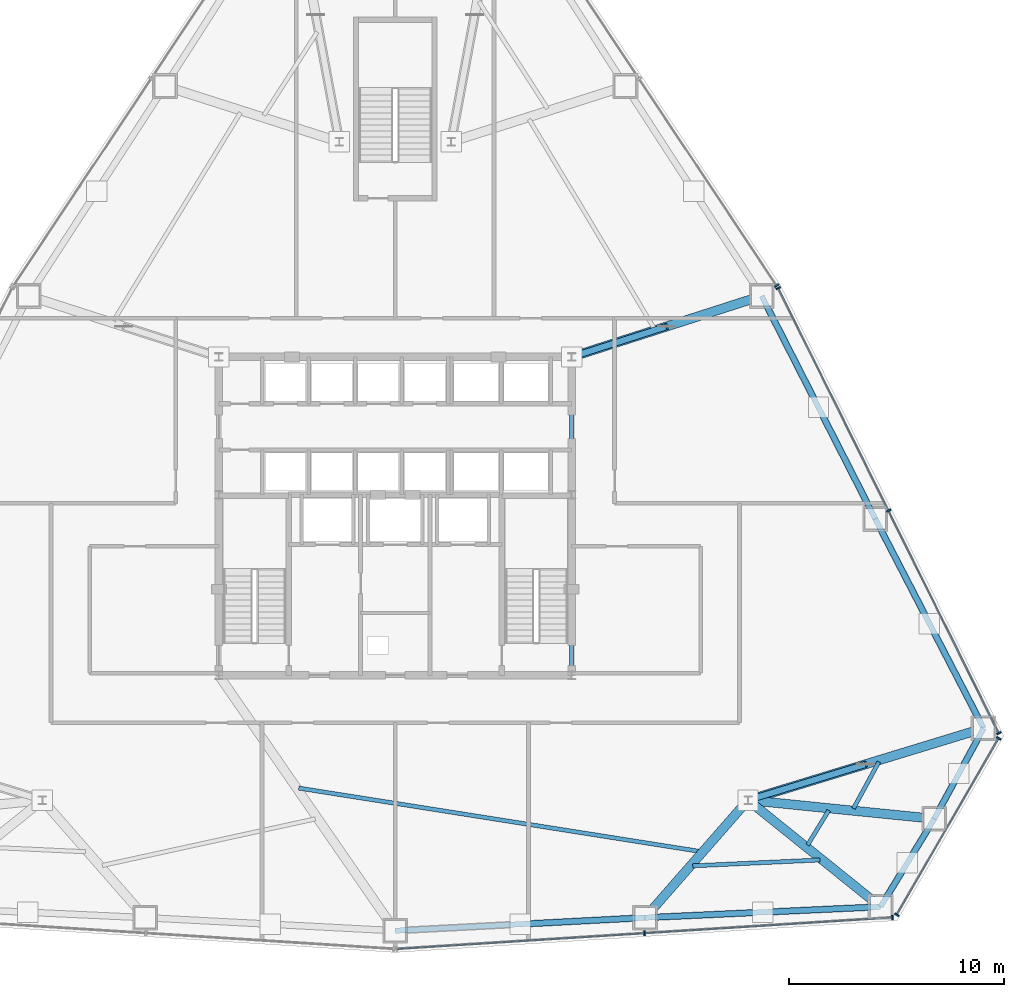
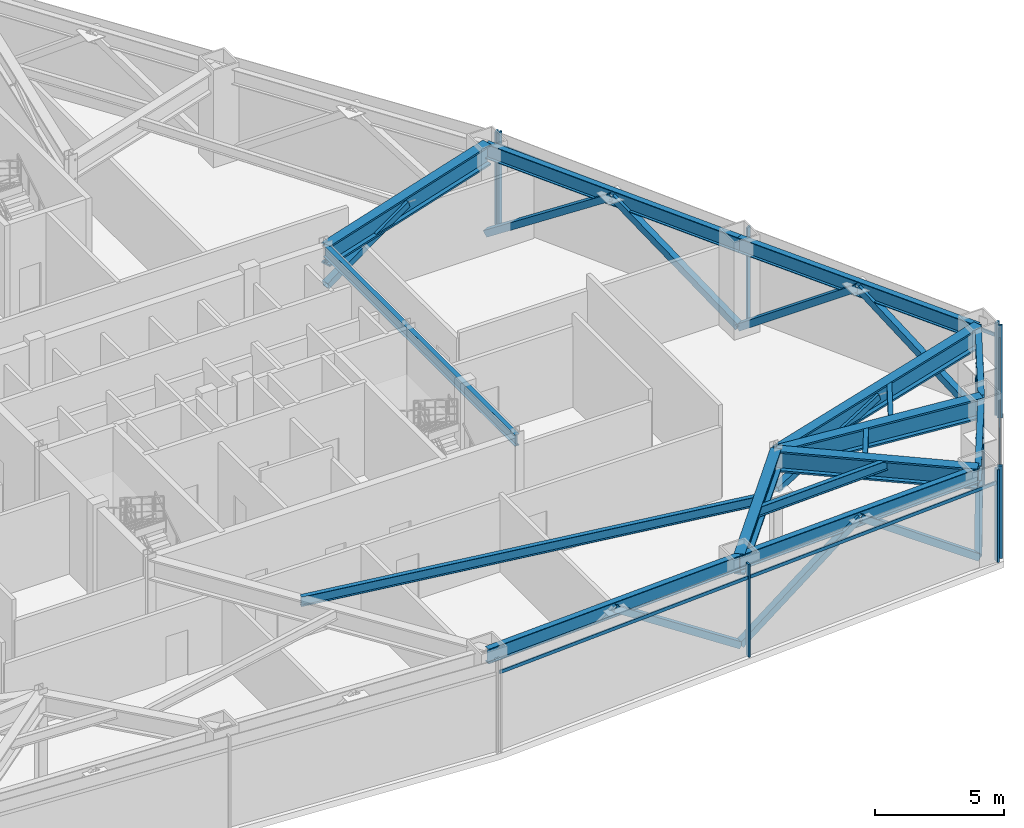
# One storey, part 6 of 12: 24 members, 16 beams, 4 elements without a shape of their own.
"""IFC4 building model written with IfcOpenShell, lengths in metres."""

from ifc_helpers import new_model, si_unit, direction, frame, origin, origin_2d, place, context, subcontext, project, spatial, rectangle, hollow_rectangle, i_section, extrude, source, transform, mapped, material, layer, layer_set, material_profile, profile_set, type_object, type_shapes, element, aggregate, save


model = new_model("IFC4")

# Units and contexts
model_context = context("Model", 3, precision=1e-05, world=origin(), true_north=direction((0.0, 1.0)))
body_context = subcontext(model_context, "Body", "Model", "MODEL_VIEW")
ifc_project = project(units=[si_unit("LENGTHUNIT", "METRE"), si_unit("AREAUNIT", "SQUARE_METRE"), si_unit("VOLUMEUNIT", "CUBIC_METRE"), si_unit("PLANEANGLEUNIT", "RADIAN"), si_unit("MASSUNIT", "GRAM", prefix="KILO")], contexts=[model_context])

# Site, building, storey
site_placement = place(None, origin())
site = spatial("IfcSite", under=ifc_project, at=site_placement, CompositionType="ELEMENT")
building_placement = place(site_placement, origin())
building = spatial("IfcBuilding", under=site, at=building_placement, Name="Varakhsha Concourse Tower", CompositionType="ELEMENT")
storey_placement = place(building_placement, frame((0.0, 0.0, 68.800048828125)))
storey = spatial("IfcBuildingStorey", under=building, at=storey_placement, Name="L19", CompositionType="ELEMENT", Elevation=68.800048828125)

# Beams
ifc_material_1 = material(Name="Structural Steel ASTM A992 Grade 50", Category="steel")
ifc_material_profile_1 = material_profile(ifc_material_1, i_section(OverallWidth=0.19091796875, OverallDepth=0.45703125, WebThickness=0.009033203125, FlangeThickness=0.013916015625, at=origin_2d()), Name="W18X50")
ifc_profile_set_1 = profile_set([ifc_material_profile_1], Name="Structural Steel ASTM A992 Grade 50")
beam_type_1 = type_object("IfcBeamType", Name="BM-JST-W18X50", PredefinedType="JOIST", material=ifc_profile_set_1)
beam_1_placement = place(storey_placement, frame((35.5166015625, 11.159912109375, 4.141357421875), z_axis=(0.987773017824, -0.155898894351, 0.0), x_axis=(0.155898894351, 0.987773017824, 0.0)))
element("IfcBeam", 1, at=beam_1_placement, inside=storey, type_object=beam_type_1, Name="BM-TJST-L19-11", PredefinedType="JOIST", context=body_context, shape_type="SweptSolid", body=[
    extrude(i_section(OverallWidth=0.19091796875, OverallDepth=0.45703125, WebThickness=0.009033203125, FlangeThickness=0.013916015625, at=origin_2d()), origin(), (0.0, 0.0, 1.0), 18.900390625),
])
beam_2_placement = place(storey_placement, frame((53.830078125, 7.5458984375, 4.141357421875), z_axis=(0.998935000948, 0.046139612934, 0.0), x_axis=(-0.046139612934, 0.998935000948, 0.0)))
element("IfcBeam", 2, at=beam_2_placement, inside=storey, type_object=beam_type_1, Name="BM-TJST-L19-12", PredefinedType="JOIST", context=body_context, shape_type="SweptSolid", body=[
    extrude(i_section(OverallWidth=0.19091796875, OverallDepth=0.45703125, WebThickness=0.009033203125, FlangeThickness=0.013916015625, at=origin_2d()), origin(), (0.0, 0.0, 1.0), 5.915771484375),
])
beam_3_placement = place(storey_placement, frame((59.16748046875, 8.5126953125, 4.141357421875), z_axis=(0.521303604491, 0.853371286103, 0.0), x_axis=(-0.853371286103, 0.521303604491, 0.0)))
element("IfcBeam", 3, at=beam_3_placement, inside=storey, type_object=beam_type_1, Name="BM-TJST-L19-13", PredefinedType="JOIST", context=body_context, shape_type="SweptSolid", body=[
    extrude(i_section(OverallWidth=0.19091796875, OverallDepth=0.45703125, WebThickness=0.009033203125, FlangeThickness=0.013916015625, at=origin_2d()), origin(), (0.0, 0.0, 1.0), 1.888671875),
])
beam_4_placement = place(storey_placement, frame((61.30078125, 10.211181640625, 4.141357421875), z_axis=(0.478525781107, 0.878073503083, 0.0), x_axis=(-0.878073503083, 0.478525781107, 0.0)))
element("IfcBeam", 4, at=beam_4_placement, inside=storey, type_object=beam_type_1, Name="BM-TJST-L19-14", PredefinedType="JOIST", context=body_context, shape_type="SweptSolid", body=[
    extrude(i_section(OverallWidth=0.19091796875, OverallDepth=0.45703125, WebThickness=0.009033203125, FlangeThickness=0.013916015625, at=origin_2d()), origin(), (0.0, 0.0, 1.0), 2.463623046875),
])
ifc_material_profile_2 = material_profile(ifc_material_1, i_section(OverallWidth=0.2109375, OverallDepth=0.5390625, WebThickness=0.011962890625, FlangeThickness=0.01904296875, at=origin_2d()), Name="W21X73")
ifc_profile_set_2 = profile_set([ifc_material_profile_2], Name="Structural Steel ASTM A992 Grade 50")
beam_type_2 = type_object("IfcBeamType", Name="BM-RAD-W21X73", PredefinedType="BEAM", material=ifc_profile_set_2)
beam_5_placement = place(storey_placement, frame((48.199951171875, 16.39990234375, 4.100341796875), z_axis=(0.0, 1.0, 0.0), x_axis=(-1.0, 0.0, 0.0)))
element("IfcBeam", 5, at=beam_5_placement, inside=storey, type_object=beam_type_2, Name="BM-TCORE-L19-CE", PredefinedType="BEAM", context=body_context, shape_type="SweptSolid", body=[
    extrude(i_section(OverallWidth=0.2109375, OverallDepth=0.5390625, WebThickness=0.011962890625, FlangeThickness=0.01904296875, at=origin_2d()), origin(), (0.0, 0.0, 1.0), 14.800048828125),
])
ifc_material_profile_3 = material_profile(ifc_material_1, i_section(OverallWidth=0.25390625, OverallDepth=0.701904296875, WebThickness=0.014892578125, FlangeThickness=0.028076171875, at=origin_2d()), Name="W27X129")
ifc_profile_set_3 = profile_set([ifc_material_profile_3], Name="Structural Steel ASTM A992 Grade 50")
beam_type_3 = type_object("IfcBeamType", Name="BM-SPAN-W27X129", PredefinedType="SPANDREL", material=ifc_profile_set_3)
beam_6_placement = place(storey_placement, frame((40.0, 4.52978515625, 4.01904296875), z_axis=(0.998635285896, 0.05222610231, 0.0), x_axis=(-0.05222610231, 0.998635285896, 0.0)))
element("IfcBeam", 6, at=beam_6_placement, inside=storey, type_object=beam_type_3, Name="BM-SPAN-L19-11", PredefinedType="SPANDREL", context=body_context, shape_type="SweptSolid", body=[
    extrude(i_section(OverallWidth=0.25390625, OverallDepth=0.701904296875, WebThickness=0.014892578125, FlangeThickness=0.028076171875, at=origin_2d()), origin(), (0.0, 0.0, 1.0), 11.630615234375),
])
beam_7_placement = place(storey_placement, frame((51.61474609375, 5.13720703125, 4.01904296875), z_axis=(0.998934635381, 0.046147526876, 0.0), x_axis=(-0.046147526876, 0.998934635381, 0.0)))
element("IfcBeam", 7, at=beam_7_placement, inside=storey, type_object=beam_type_3, Name="BM-SPAN-L19-12", PredefinedType="SPANDREL", context=body_context, shape_type="SweptSolid", body=[
    extrude(i_section(OverallWidth=0.25390625, OverallDepth=0.701904296875, WebThickness=0.014892578125, FlangeThickness=0.028076171875, at=origin_2d()), origin(), (0.0, 0.0, 1.0), 10.95654296875),
])
for number, where, z_axis, x_axis, name in (
    (8, (62.5595703125, 5.642822265625, 4.01904296875), (0.521229514311, 0.853416541562, 0.0), (-0.853416541562, 0.521229514311, 0.0), "BM-SPAN-L19-13"),
    (9, (65.0576171875, 9.73291015625, 4.01904296875), (0.478438059968, 0.878121302995, 0.0), (-0.878121302995, 0.478438059968, 0.0), "BM-SPAN-L19-14"),
):
    element("IfcBeam", number, at=place(storey_placement, frame(where, z_axis=z_axis, x_axis=x_axis)), inside=storey, type_object=beam_type_3, Name=name, PredefinedType="SPANDREL", context=body_context, shape_type="SweptSolid", body=[
        extrude(i_section(OverallWidth=0.25390625, OverallDepth=0.701904296875, WebThickness=0.014892578125, FlangeThickness=0.028076171875, at=origin_2d()), origin(), (0.0, 0.0, 1.0), 4.792724609375),
    ])
beam_8_placement = place(storey_placement, frame((67.3505859375, 13.94140625, 4.01904296875), z_axis=(-0.459480507345, 0.888187853649, 0.0), x_axis=(-0.888187853649, -0.459480507345, 0.0)))
element("IfcBeam", 10, at=beam_8_placement, inside=storey, type_object=beam_type_3, Name="BM-SPAN-L19-15", PredefinedType="SPANDREL", context=body_context, shape_type="SweptSolid", body=[
    extrude(i_section(OverallWidth=0.25390625, OverallDepth=0.701904296875, WebThickness=0.014892578125, FlangeThickness=0.028076171875, at=origin_2d()), origin(), (0.0, 0.0, 1.0), 10.956298828125),
])
beam_9_placement = place(storey_placement, frame((62.31640625, 23.672607421875, 4.01904296875), z_axis=(-0.454093687786, 0.890953939726, 0.0), x_axis=(-0.890953939726, -0.454093687786, 0.0)))
element("IfcBeam", 11, at=beam_9_placement, inside=storey, type_object=beam_type_3, Name="BM-SPAN-L19-16", PredefinedType="SPANDREL", context=body_context, shape_type="SweptSolid", body=[
    extrude(i_section(OverallWidth=0.25390625, OverallDepth=0.701904296875, WebThickness=0.014892578125, FlangeThickness=0.028076171875, at=origin_2d()), origin(), (0.0, 0.0, 1.0), 11.630859375),
])
ifc_material_profile_4 = material_profile(ifc_material_1, i_section(OverallWidth=0.427978515625, OverallDepth=0.97509765625, WebThickness=0.050048828125, FlangeThickness=0.0810546875, at=origin_2d()), Name="W36X395")
ifc_profile_set_4 = profile_set([ifc_material_profile_4], Name="Structural Steel ASTM A992 Grade 50")
beam_type_4 = type_object("IfcBeamType", Name="BM-XFER-W36X395", PredefinedType="USERDEFINED", material=ifc_profile_set_4)
beam_10_placement = place(storey_placement, frame((56.39990234375, 10.60009765625, 3.882568359375), z_axis=(-0.658904355751, -0.75222672777, 0.0), x_axis=(0.75222672777, -0.658904355751, 0.0)))
element("IfcBeam", 12, at=beam_10_placement, inside=storey, type_object=beam_type_4, Name="L19 Outrigger Top Chord 12", ObjectType="GIRDER", PredefinedType="USERDEFINED", context=body_context, shape_type="SweptSolid", body=[
    extrude(i_section(OverallWidth=0.427978515625, OverallDepth=0.97509765625, WebThickness=0.050048828125, FlangeThickness=0.0810546875, at=origin_2d()), origin(), (0.0, 0.0, 1.0), 7.26220703125),
])
beam_11_placement = place(storey_placement, frame((56.39990234375, 10.60009765625, 3.882568359375), z_axis=(0.779042952089, -0.626970556566, 0.0), x_axis=(0.626970556566, 0.779042952089, 0.0)))
element("IfcBeam", 13, at=beam_11_placement, inside=storey, type_object=beam_type_4, Name="L19 Outrigger Top Chord 13", ObjectType="GIRDER", PredefinedType="USERDEFINED", context=body_context, shape_type="SweptSolid", body=[
    extrude(i_section(OverallWidth=0.427978515625, OverallDepth=0.97509765625, WebThickness=0.050048828125, FlangeThickness=0.0810546875, at=origin_2d()), origin(), (0.0, 0.0, 1.0), 7.90673828125),
])
beam_12_placement = place(storey_placement, frame((56.39990234375, 10.60009765625, 3.882568359375), z_axis=(0.995021064191, -0.099664847443, 0.0), x_axis=(0.099664847443, 0.995021064191, 0.0)))
element("IfcBeam", 14, at=beam_12_placement, inside=storey, type_object=beam_type_4, Name="L19 Outrigger Top Chord 14", ObjectType="GIRDER", PredefinedType="USERDEFINED", context=body_context, shape_type="SweptSolid", body=[
    extrude(i_section(OverallWidth=0.427978515625, OverallDepth=0.97509765625, WebThickness=0.050048828125, FlangeThickness=0.0810546875, at=origin_2d()), origin(), (0.0, 0.0, 1.0), 8.700927734375),
])
beam_13_placement = place(storey_placement, frame((56.39990234375, 10.60009765625, 3.882568359375), z_axis=(0.956467040209, 0.291840369026, 0.0), x_axis=(-0.291840369026, 0.956467040209, 0.0)))
element("IfcBeam", 15, at=beam_13_placement, inside=storey, type_object=beam_type_4, Name="L19 Outrigger Top Chord 15", ObjectType="GIRDER", PredefinedType="USERDEFINED", context=body_context, shape_type="SweptSolid", body=[
    extrude(i_section(OverallWidth=0.427978515625, OverallDepth=0.97509765625, WebThickness=0.050048828125, FlangeThickness=0.0810546875, at=origin_2d()), origin(), (0.0, 0.0, 1.0), 11.448974609375),
])
beam_14_placement = place(storey_placement, frame((48.199951171875, 31.199951171875, 3.882568359375), z_axis=(0.952173002913, 0.305559441882, 0.0), x_axis=(-0.305559441882, 0.952173002913, 0.0)))
element("IfcBeam", 16, at=beam_14_placement, inside=storey, type_object=beam_type_4, Name="L19 Outrigger Top Chord 17", ObjectType="GIRDER", PredefinedType="USERDEFINED", context=body_context, shape_type="SweptSolid", body=[
    extrude(i_section(OverallWidth=0.427978515625, OverallDepth=0.97509765625, WebThickness=0.050048828125, FlangeThickness=0.0810546875, at=origin_2d()), origin(), (0.0, 0.0, 1.0), 9.27880859375),
])

# Members
ifc_material_2 = material(Name="Structural Steel ASTM A500 Grade C", Category="steel")
ifc_material_profile_5 = material_profile(ifc_material_2, hollow_rectangle(XDim=0.300048828125, YDim=0.300048828125, WallThickness=0.013916015625, at=origin_2d()), Name="HSS 300x300x14")
ifc_profile_set_5 = profile_set([ifc_material_profile_5], Name="Structural Steel ASTM A500 Grade C")
member_type_1 = type_object("IfcMemberType", Name="MB-BELT-HSS300", PredefinedType="BRACE", material=ifc_profile_set_5)
shared_shape_1 = source(origin(), body_context, "Body", "SweptSolid", [
    extrude(hollow_rectangle(XDim=0.300048828125, YDim=0.300048828125, WallThickness=0.013916015625, at=origin_2d()), origin(), (0.0, 0.0, 1.0), 4.6201171875),
])
for number, where, z_axis, x_axis, name in (
    (17, (65.0576171875, 9.73291015625, 0.119873046875), (-0.270342476684, -0.442609183876, 0.854992430171), (0.853402700966, -0.521252175041, 0.0), "L19 Belt Truss Chevron 13B"),
    (18, (65.0576171875, 9.73291015625, 0.119873046875), (0.248145576722, 0.455444362386, 0.854981991345), (-0.878121302995, 0.478438059968, 0.0), "L19 Belt Truss Chevron 14A"),
    (19, (67.3505859375, 13.94140625, 0.119873046875), (-0.248145576722, -0.455444362386, 0.854981991345), (0.878121302995, -0.478438059968, 0.0), "L19 Belt Truss Chevron 14B"),
):
    element("IfcMember", number, at=place(storey_placement, frame(where, z_axis=z_axis, x_axis=x_axis)), inside=storey, type_object=member_type_1, Name=name, PredefinedType="BRACE", context=body_context, shape_type="MappedRepresentation", body=[
        mapped(shared_shape_1, transform((0.0, 0.0, 0.0), scale=1.0)),
    ])
shared_shape_2 = source(origin(), body_context, "Body", "SweptSolid", [
    extrude(hollow_rectangle(XDim=0.300048828125, YDim=0.300048828125, WallThickness=0.013916015625, at=origin_2d()), origin(), (0.0, 0.0, 1.0), 6.75390625),
])
for number, where, z_axis, x_axis, name in (
    (20, (51.61474609375, 5.13720703125, 0.119873046875), (0.810259373855, 0.037413270218, 0.584876050367), (-0.046125291569, 0.998935662332, 0.0), "L19 Belt Truss Chevron 12A"),
    (21, (62.5595703125, 5.642822265625, 0.119873046875), (-0.810258277518, -0.037449367634, 0.584875258989), (0.046169762116, -0.998933607937, 0.0), "L19 Belt Truss Chevron 12B"),
    (22, (67.3505859375, 13.94140625, 0.119873046875), (-0.372687375251, 0.720432530433, 0.584876986573), (-0.888192558, -0.459471413597, 0.0), "L19 Belt Truss Chevron 15A"),
):
    element("IfcMember", number, at=place(storey_placement, frame(where, z_axis=z_axis, x_axis=x_axis)), inside=storey, type_object=member_type_1, Name=name, PredefinedType="BRACE", context=body_context, shape_type="MappedRepresentation", body=[
        mapped(shared_shape_2, transform((0.0, 0.0, 0.0), scale=1.0)),
    ])
shared_shape_3 = source(origin(), body_context, "Body", "SweptSolid", [
    extrude(hollow_rectangle(XDim=0.300048828125, YDim=0.300048828125, WallThickness=0.013916015625, at=origin_2d()), origin(), (0.0, 0.0, 1.0), 7.030029296875),
])
for number, where, z_axis, x_axis, name in (
    (23, (51.61474609375, 5.13720703125, 0.119873046875), (-0.826076294051, -0.043201703023, 0.561899963751), (0.05222610231, -0.998635285896, 0.0), "L19 Belt Truss Chevron 11B"),
    (24, (57.034912109375, 34.03515625, 0.119873046875), (0.375620877351, -0.737003167451, 0.561903272517), (0.890958103863, 0.454085517453, 0.0), "L19 Belt Truss Chevron 16B"),
):
    element("IfcMember", number, at=place(storey_placement, frame(where, z_axis=z_axis, x_axis=x_axis)), inside=storey, type_object=member_type_1, Name=name, PredefinedType="BRACE", context=body_context, shape_type="MappedRepresentation", body=[
        mapped(shared_shape_3, transform((0.0, 0.0, 0.0), scale=1.0)),
    ])
shared_shape_4 = source(origin(), body_context, "Body", "SweptSolid", [
    extrude(hollow_rectangle(XDim=0.300048828125, YDim=0.300048828125, WallThickness=0.013916015625, at=origin_2d()), origin(), (0.0, 0.0, 1.0), 7.0302734375),
])
member_1_placement = place(storey_placement, frame((62.31640625, 23.672607421875, 0.119873046875), z_axis=(-0.375641090857, 0.737009417699, 0.561881561437), x_axis=(-0.890949775748, -0.45410185762, 0.0)))
element("IfcMember", 25, at=member_1_placement, inside=storey, type_object=member_type_1, Name="L19 Belt Truss Chevron 16A", PredefinedType="BRACE", context=body_context, shape_type="MappedRepresentation", body=[
    mapped(shared_shape_4, transform((0.0, 0.0, 0.0), scale=1.0)),
])
shared_shape_5 = source(origin(), body_context, "Body", "SweptSolid", [
    extrude(hollow_rectangle(XDim=0.300048828125, YDim=0.300048828125, WallThickness=0.013916015625, at=origin_2d()), origin(), (0.0, 0.0, 1.0), 6.753662109375),
])
member_2_placement = place(storey_placement, frame((62.31640625, 23.672607421875, 0.119873046875), z_axis=(0.372697081023, -0.720415143328, 0.584892218328), x_axis=(0.888183149019, 0.459489601404, 0.0)))
element("IfcMember", 26, at=member_2_placement, inside=storey, type_object=member_type_1, Name="L19 Belt Truss Chevron 15B", PredefinedType="BRACE", context=body_context, shape_type="MappedRepresentation", body=[
    mapped(shared_shape_5, transform((0.0, 0.0, 0.0), scale=1.0)),
])
shared_shape_6 = source(origin(), body_context, "Body", "SweptSolid", [
    extrude(hollow_rectangle(XDim=0.300048828125, YDim=0.300048828125, WallThickness=0.013916015625, at=origin_2d()), origin(), (0.0, 0.0, 1.0), 4.620361328125),
])
type_shapes(member_type_1, [shared_shape_1, shared_shape_2, shared_shape_3, shared_shape_4, shared_shape_5, shared_shape_6])
member_3_placement = place(storey_placement, frame((62.5595703125, 5.642822265625, 0.119873046875), z_axis=(0.270336153597, 0.442651672925, 0.854972432605), x_axis=(-0.853430380352, 0.521206855185, 0.0)))
element("IfcMember", 27, at=member_3_placement, inside=storey, type_object=member_type_1, Name="L19 Belt Truss Chevron 13A", PredefinedType="BRACE", context=body_context, shape_type="MappedRepresentation", body=[
    mapped(shared_shape_6, transform((0.0, 0.0, 0.0), scale=1.0)),
])
ifc_material_profile_6 = material_profile(ifc_material_2, hollow_rectangle(XDim=0.300048828125, YDim=0.300048828125, WallThickness=0.013916015625, at=origin_2d()), Name="HSS 300x300x14")
ifc_profile_set_6 = profile_set([ifc_material_profile_6], Name="Structural Steel ASTM A500 Grade C")
member_type_2 = type_object("IfcMemberType", Name="MB-OUTR-HSS300", PredefinedType="STRUT", material=ifc_profile_set_6)
shared_shape_7 = source(origin(), body_context, "Body", "SweptSolid", [
    extrude(hollow_rectangle(XDim=0.300048828125, YDim=0.300048828125, WallThickness=0.013916015625, at=origin_2d()), origin(), (0.0, 0.0, 1.0), 4.86669921875),
])
member_4_placement = place(storey_placement, frame((48.199951171875, 31.199951171875, 2.449951171875), z_axis=(0.907692916358, 0.291310531961, 0.302045929556), x_axis=(-0.305583296792, 0.952165347365, 0.0)))
element("IfcMember", 28, at=member_4_placement, inside=storey, type_object=member_type_2, Name="L19 Outrigger Truss Strut 09", PredefinedType="STRUT", context=body_context, shape_type="MappedRepresentation", body=[
    mapped(shared_shape_7, transform((0.0, 0.0, 0.0), scale=1.0)),
])
shared_shape_8 = source(origin(), body_context, "Body", "SweptSolid", [
    extrude(hollow_rectangle(XDim=0.300048828125, YDim=0.300048828125, WallThickness=0.013916015625, at=origin_2d()), origin(), (0.0, 0.0, 1.0), 5.91015625),
])
type_shapes(member_type_2, [shared_shape_7, shared_shape_8])
member_5_placement = place(storey_placement, frame((56.39990234375, 10.60009765625, 2.449951171875), z_axis=(0.926411768055, 0.282669805538, 0.248714730256), x_axis=(-0.291840369026, 0.956467040209, 0.0)))
element("IfcMember", 29, at=member_5_placement, inside=storey, type_object=member_type_2, Name="L19 Outrigger Truss Strut 08", PredefinedType="STRUT", context=body_context, shape_type="MappedRepresentation", body=[
    mapped(shared_shape_8, transform((0.0, 0.0, 0.0), scale=1.0)),
])

# Curtain wall, member
ifc_material_3 = material(Name="Anodised Bronze Architectural Aluminium AA 6063-T6", Category="aluminium")
ifc_layer = layer(ifc_material_3, 0.260009765625, Name="CW-SYS-06")
ifc_layer_set = layer_set([ifc_layer], Name="Anodised Bronze Architectural Aluminium AA 6063-T6")
curtain_wall_type = type_object("IfcCurtainWallType", Name="CW-SYS-06", PredefinedType="NOTDEFINED", material=ifc_layer_set)
curtain_wall_1_placement = place(storey_placement, origin())
curtain_wall_1 = element("IfcCurtainWall", 30, at=curtain_wall_1_placement, inside=storey, type_object=curtain_wall_type, Name="L19 Chamfer Curtain Wall F7", PredefinedType="NOTDEFINED")
ifc_material_profile_7 = material_profile(ifc_material_3, rectangle(XDim=0.06494140625, YDim=0.159912109375, at=origin_2d()), Name="CWT-160X65")
ifc_profile_set_7 = profile_set([ifc_material_profile_7], Name="Anodised Bronze Architectural Aluminium AA 6063-T6")
member_type_3 = type_object("IfcMemberType", Name="CWT-160X65", PredefinedType="USERDEFINED", material=ifc_profile_set_7)
shared_shape_9 = source(origin(), body_context, "Body", "SweptSolid", [
    extrude(rectangle(XDim=0.06494140625, YDim=0.159912109375, at=origin_2d()), origin(), (0.0, 0.0, 1.0), 9.474365234375),
])
member_6_placement = place(storey_placement, frame((68.049560546875, 13.4755859375, 3.719970703125), z_axis=(-0.499988638952, -0.866031962989, 0.0), x_axis=(0.866031962989, -0.499988638952, 0.0)))
member_6 = element("IfcMember", 31, at=member_6_placement, type_object=member_type_3, Name="CW-L19-F7 Transom 01", ObjectType="TRANSOM", PredefinedType="USERDEFINED", context=body_context, shape_type="MappedRepresentation", body=[
    mapped(shared_shape_9, transform((0.0, 0.0, 0.0), scale=1.0)),
])

# Curtain wall, members
curtain_wall_2_placement = place(storey_placement, origin())
curtain_wall_2 = element("IfcCurtainWall", 32, at=curtain_wall_2_placement, inside=storey, type_object=curtain_wall_type, Name="L19 Crystal Curtain Wall F6", PredefinedType="NOTDEFINED")
ifc_material_profile_8 = material_profile(ifc_material_3, rectangle(XDim=0.074951171875, YDim=0.219970703125, at=origin_2d()), Name="CWM-220X75")
ifc_profile_set_8 = profile_set([ifc_material_profile_8], Name="Anodised Bronze Architectural Aluminium AA 6063-T6")
member_type_4 = type_object("IfcMemberType", Name="CWM-220X75", PredefinedType="MULLION", material=ifc_profile_set_8)
shared_shape_10 = source(origin(), body_context, "Body", "SweptSolid", [
    extrude(rectangle(XDim=0.074951171875, YDim=0.219970703125, at=origin_2d()), origin(), (0.0, 0.0, 1.0), 4.369873046875),
])
type_shapes(member_type_4, [shared_shape_10])
member_7_placement = place(storey_placement, frame((63.111328125, 5.145751953125, 0.0), z_axis=(0.0, 0.0, 1.0), x_axis=(-0.997989845145, -0.06337404032, 0.0)))
member_7 = element("IfcMember", 33, at=member_7_placement, type_object=member_type_4, Name="CW-L19-F6 Mullion 00", PredefinedType="MULLION", context=body_context, shape_type="MappedRepresentation", body=[
    mapped(shared_shape_10, transform((0.0, 0.0, 0.0), scale=1.0)),
])
member_8_placement = place(storey_placement, frame((51.590576171875, 4.4140625, 0.0), z_axis=(0.0, 0.0, 1.0), x_axis=(-0.997989845145, -0.06337404032, 0.0)))
member_8 = element("IfcMember", 34, at=member_8_placement, type_object=member_type_4, Name="CW-L19-F6 Mullion 01", PredefinedType="MULLION", context=body_context, shape_type="MappedRepresentation", body=[
    mapped(shared_shape_10, transform((0.0, 0.0, 0.0), scale=1.0)),
])

# Member
member_9_placement = place(storey_placement, frame((68.049560546875, 13.4755859375, 0.0), z_axis=(0.0, 0.0, 1.0), x_axis=(-0.499995465495, -0.866028021766, 0.0)))
member_9 = element("IfcMember", 35, at=member_9_placement, type_object=member_type_4, Name="CW-L19-F7 Mullion 00", PredefinedType="MULLION", context=body_context, shape_type="MappedRepresentation", body=[
    mapped(shared_shape_10, transform((0.0, 0.0, 0.0), scale=1.0)),
])

member_10_placement = place(storey_placement, frame((63.3125, 5.2705078125, 0.0), z_axis=(0.0, 0.0, 1.0), x_axis=(-0.499995465495, -0.866028021766, 0.0)))
member_10 = element("IfcMember", 36, at=member_10_placement, type_object=member_type_4, Name="CW-L19-F7 Mullion 01", PredefinedType="MULLION", context=body_context, shape_type="MappedRepresentation", body=[
    mapped(shared_shape_10, transform((0.0, 0.0, 0.0), scale=1.0)),
])

aggregate(curtain_wall_1, [member_9, member_10, member_6])

# Curtain wall, members
curtain_wall_3_placement = place(storey_placement, origin())
curtain_wall_3 = element("IfcCurtainWall", 37, at=curtain_wall_3_placement, inside=storey, type_object=curtain_wall_type, Name="L19 Crystal Curtain Wall F8", PredefinedType="NOTDEFINED")
member_11_placement = place(storey_placement, frame((57.803466796875, 34.3984375, 0.0), z_axis=(0.0, 0.0, 1.0), x_axis=(0.444108266182, -0.895973129011, 0.0)))
member_11 = element("IfcMember", 38, at=member_11_placement, type_object=member_type_4, Name="CW-L19-F8 Mullion 00", PredefinedType="MULLION", context=body_context, shape_type="MappedRepresentation", body=[
    mapped(shared_shape_10, transform((0.0, 0.0, 0.0), scale=1.0)),
])
member_12_placement = place(storey_placement, frame((62.930419921875, 24.05517578125, 0.0), z_axis=(0.0, 0.0, 1.0), x_axis=(0.444108266182, -0.895973129011, 0.0)))
member_12 = element("IfcMember", 39, at=member_12_placement, type_object=member_type_4, Name="CW-L19-F8 Mullion 01", PredefinedType="MULLION", context=body_context, shape_type="MappedRepresentation", body=[
    mapped(shared_shape_10, transform((0.0, 0.0, 0.0), scale=1.0)),
])
member_13_placement = place(storey_placement, frame((68.05712890625, 13.712158203125, 0.0), z_axis=(0.0, 0.0, 1.0), x_axis=(0.444108266182, -0.895973129011, 0.0)))
member_13 = element("IfcMember", 40, at=member_13_placement, type_object=member_type_4, Name="CW-L19-F8 Mullion 02", PredefinedType="MULLION", context=body_context, shape_type="MappedRepresentation", body=[
    mapped(shared_shape_10, transform((0.0, 0.0, 0.0), scale=1.0)),
])

# Curtain wall, member
curtain_wall_4_placement = place(storey_placement, origin())
curtain_wall_4 = element("IfcCurtainWall", 41, at=curtain_wall_4_placement, inside=storey, type_object=curtain_wall_type, Name="L19 Crystal Curtain Wall F9", PredefinedType="NOTDEFINED")
member_14_placement = place(storey_placement, frame((57.73388671875, 34.51904296875, 0.0), z_axis=(0.0, 0.0, 1.0), x_axis=(0.553881357741, -0.832595605049, 0.0)))
member_14 = element("IfcMember", 42, at=member_14_placement, type_object=member_type_4, Name="CW-L19-F9 Mullion 02", PredefinedType="MULLION", context=body_context, shape_type="MappedRepresentation", body=[
    mapped(shared_shape_10, transform((0.0, 0.0, 0.0), scale=1.0)),
])
aggregate(curtain_wall_4, [member_14])

# Member
shared_shape_11 = source(origin(), body_context, "Body", "SweptSolid", [
    extrude(rectangle(XDim=0.06494140625, YDim=0.159912109375, at=origin_2d()), origin(), (0.0, 0.0, 1.0), 23.088134765625),
])
type_shapes(member_type_3, [shared_shape_9, shared_shape_11])
member_15_placement = place(storey_placement, frame((63.111328125, 5.145751953125, 3.719970703125), z_axis=(-0.997989996197, -0.063371661569, 0.0), x_axis=(0.063371661569, -0.997989996197, 0.0)))
member_15 = element("IfcMember", 43, at=member_15_placement, type_object=member_type_3, Name="CW-L19-F6 Transom 01", ObjectType="TRANSOM", PredefinedType="USERDEFINED", context=body_context, shape_type="MappedRepresentation", body=[
    mapped(shared_shape_11, transform((0.0, 0.0, 0.0), scale=1.0)),
])

aggregate(curtain_wall_2, [member_7, member_8, member_15])

member_16_placement = place(storey_placement, frame((57.803466796875, 34.3984375, 3.719970703125), z_axis=(0.444110520528, -0.895972011592, 0.0), x_axis=(0.895972011592, 0.444110520528, 0.0)))
member_16 = element("IfcMember", 44, at=member_16_placement, type_object=member_type_3, Name="CW-L19-F8 Transom 01", ObjectType="TRANSOM", PredefinedType="USERDEFINED", context=body_context, shape_type="MappedRepresentation", body=[
    mapped(shared_shape_11, transform((0.0, 0.0, 0.0), scale=1.0)),
])

aggregate(curtain_wall_3, [member_11, member_12, member_13, member_16])

save(model, "model.ifc")
